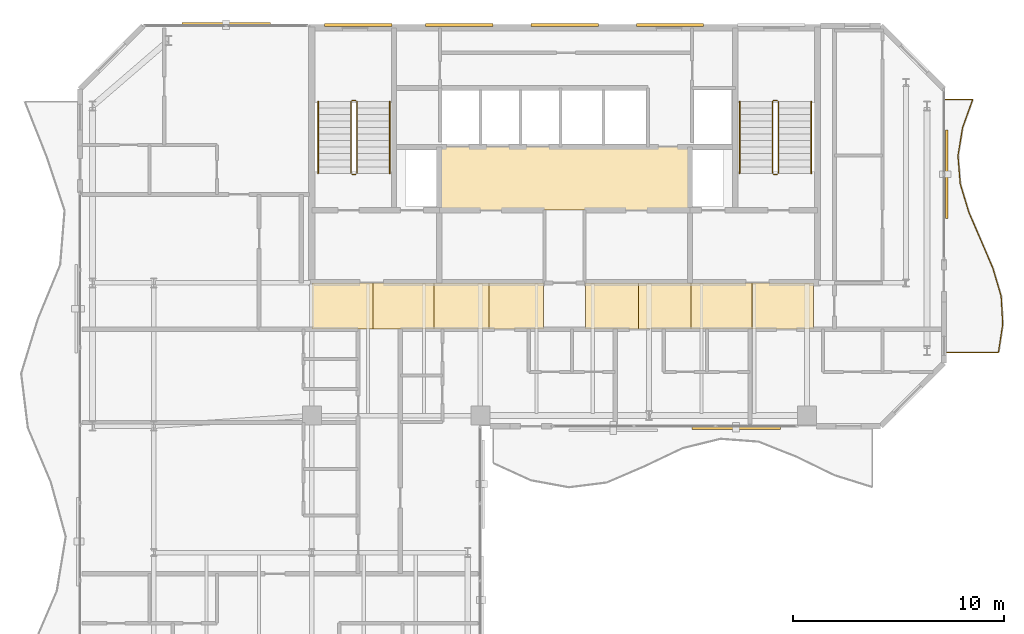
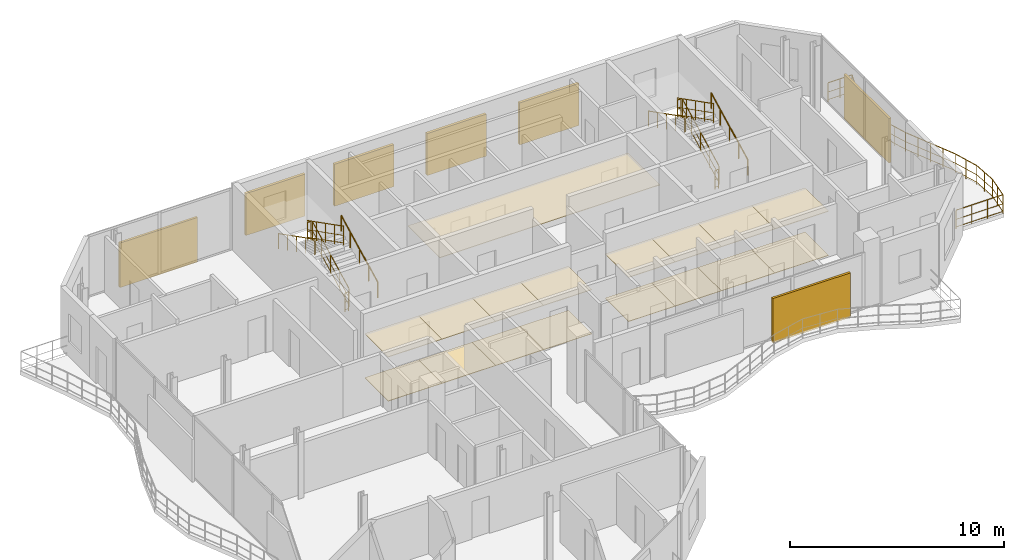
# One storey, part 23 of 24: 17 coverings, 13 railings, 7 shading devices.
"""IFC4 building model written with IfcOpenShell, lengths in metres."""

from ifc_helpers import new_model, si_unit, direction, frame, origin, origin_2d, place, context, subcontext, project, spatial, polyline, rectangle, circle, outline, extrude, material, layer, layer_set, type_object, element, save


model = new_model("IFC4")

# Units and contexts
model_context = context("Model", 3, precision=1e-05, world=origin(), true_north=direction((0.0, 1.0)))
body_context = subcontext(model_context, "Body", "Model", "MODEL_VIEW")
ifc_project = project(units=[si_unit("LENGTHUNIT", "METRE"), si_unit("AREAUNIT", "SQUARE_METRE"), si_unit("VOLUMEUNIT", "CUBIC_METRE"), si_unit("PLANEANGLEUNIT", "RADIAN"), si_unit("MASSUNIT", "GRAM", prefix="KILO")], contexts=[model_context])

# Site, building, storey
site_placement = place(None, origin())
site = spatial("IfcSite", under=ifc_project, at=site_placement, CompositionType="ELEMENT")
building_placement = place(site_placement, origin())
building = spatial("IfcBuilding", under=site, at=building_placement, Name="Catumbela Crestline Tower", CompositionType="ELEMENT")
storey_placement = place(building_placement, frame((0.0, 0.0, 237.4)))
storey = spatial("IfcBuildingStorey", under=building, at=storey_placement, Name="L61", CompositionType="ELEMENT", Elevation=237.4)

# Coverings
ifc_material_1 = material(Name="Mineral-fibre acoustic ceiling")
ifc_layer_1 = layer(ifc_material_1, 0.03, Name="Mineral-fibre acoustic ceiling")
ifc_layer_set_1 = layer_set([ifc_layer_1], Name="Mineral-fibre acoustic ceiling")
covering_type_1 = type_object("IfcCoveringType", Name="CC-AC", PredefinedType="CEILING", material=ifc_layer_set_1)
covering_1_placement = place(storey_placement, frame((0.0, 0.0, 2.65)))
element("IfcCovering", 1, at=covering_1_placement, inside=storey, type_object=covering_type_1, Name="L61 Lift Lobby Acoustic Ceiling", PredefinedType="CEILING", context=body_context, shape_type="SweptSolid", body=[
    extrude(outline(polyline([(22.05, 34.25), (33.95, 34.25), (33.95, 37.25), (22.05, 37.25), (22.05, 34.25)])), origin(), (0.0, 0.0, 1.0), 0.03),
])
covering_2_placement = place(storey_placement, frame((0.0, 0.0, 2.52)))
element("IfcCovering", 2, at=covering_2_placement, inside=storey, type_object=covering_type_1, Name="L61 Corridor Acoustic Ceiling Bay 1", PredefinedType="CEILING", context=body_context, shape_type="SweptSolid", body=[
    extrude(outline(polyline([(16.0, 28.6), (18.9, 28.6), (18.9, 30.8), (16.0, 30.8), (16.0, 28.6)])), origin(), (0.0, 0.0, 1.0), 0.03),
])
covering_3_placement = place(storey_placement, frame((0.0, 0.0, 2.52)))
element("IfcCovering", 3, at=covering_3_placement, inside=storey, type_object=covering_type_1, Name="L61 Corridor Acoustic Ceiling Bay 2", PredefinedType="CEILING", context=body_context, shape_type="SweptSolid", body=[
    extrude(outline(polyline([(18.9, 28.6), (21.8, 28.6), (21.8, 30.8), (18.9, 30.8), (18.9, 28.6)])), origin(), (0.0, 0.0, 1.0), 0.03),
])
covering_4_placement = place(storey_placement, frame((0.0, 0.0, 2.52)))
element("IfcCovering", 4, at=covering_4_placement, inside=storey, type_object=covering_type_1, Name="L61 Corridor Acoustic Ceiling Bay 3", PredefinedType="CEILING", context=body_context, shape_type="SweptSolid", body=[
    extrude(outline(polyline([(21.8, 28.6), (24.4, 28.6), (24.4, 30.8), (21.8, 30.8), (21.8, 28.6)])), origin(), (0.0, 0.0, 1.0), 0.03),
])
covering_5_placement = place(storey_placement, frame((0.0, 0.0, 2.52)))
element("IfcCovering", 5, at=covering_5_placement, inside=storey, type_object=covering_type_1, Name="L61 Corridor Acoustic Ceiling Bay 4", PredefinedType="CEILING", context=body_context, shape_type="SweptSolid", body=[
    extrude(outline(polyline([(24.4, 28.6), (27.0, 28.6), (27.0, 30.8), (24.4, 30.8), (24.4, 28.6)])), origin(), (0.0, 0.0, 1.0), 0.03),
])
covering_6_placement = place(storey_placement, frame((0.0, 0.0, 2.52)))
element("IfcCovering", 6, at=covering_6_placement, inside=storey, type_object=covering_type_1, Name="L61 Corridor Acoustic Ceiling Bay 5", PredefinedType="CEILING", context=body_context, shape_type="SweptSolid", body=[
    extrude(outline(polyline([(29.0, 28.6), (31.5, 28.6), (31.5, 30.8), (29.0, 30.8), (29.0, 28.6)])), origin(), (0.0, 0.0, 1.0), 0.03),
])
covering_7_placement = place(storey_placement, frame((0.0, 0.0, 2.52)))
element("IfcCovering", 7, at=covering_7_placement, inside=storey, type_object=covering_type_1, Name="L61 Corridor Acoustic Ceiling Bay 6", PredefinedType="CEILING", context=body_context, shape_type="SweptSolid", body=[
    extrude(outline(polyline([(31.5, 28.6), (34.0, 28.6), (34.0, 30.8), (31.5, 30.8), (31.5, 28.6)])), origin(), (0.0, 0.0, 1.0), 0.03),
])
covering_8_placement = place(storey_placement, frame((0.0, 0.0, 2.52)))
element("IfcCovering", 8, at=covering_8_placement, inside=storey, type_object=covering_type_1, Name="L61 Corridor Acoustic Ceiling Bay 7", PredefinedType="CEILING", context=body_context, shape_type="SweptSolid", body=[
    extrude(outline(polyline([(34.0, 28.6), (36.9, 28.6), (36.9, 30.8), (34.0, 30.8), (34.0, 28.6)])), origin(), (0.0, 0.0, 1.0), 0.03),
])
covering_9_placement = place(storey_placement, frame((0.0, 0.0, 2.52)))
element("IfcCovering", 9, at=covering_9_placement, inside=storey, type_object=covering_type_1, Name="L61 Corridor Acoustic Ceiling Bay 8", PredefinedType="CEILING", context=body_context, shape_type="SweptSolid", body=[
    extrude(outline(polyline([(36.9, 28.6), (39.8, 28.6), (39.8, 30.8), (36.9, 30.8), (36.9, 28.6)])), origin(), (0.0, 0.0, 1.0), 0.03),
])
ifc_material_2 = material(Name="Angolan grey-ochre granite", Category="masonry")
ifc_layer_2 = layer(ifc_material_2, 0.025, Name="Angolan grey-ochre granite")
ifc_layer_set_2 = layer_set([ifc_layer_2], Name="Angolan grey-ochre granite")
covering_type_2 = type_object("IfcCoveringType", Name="CF-GR", PredefinedType="FLOORING", material=ifc_layer_set_2)
covering_10_placement = place(storey_placement, origin())
element("IfcCovering", 10, at=covering_10_placement, inside=storey, type_object=covering_type_2, Name="L61 Corridor Granite Flooring Bay 1", PredefinedType="FLOORING", context=body_context, shape_type="SweptSolid", body=[
    extrude(outline(polyline([(16.0, 28.6), (18.9, 28.6), (18.9, 30.8), (16.0, 30.8), (16.0, 28.6)])), origin(), (0.0, 0.0, 1.0), 0.025),
])
covering_11_placement = place(storey_placement, origin())
element("IfcCovering", 11, at=covering_11_placement, inside=storey, type_object=covering_type_2, Name="L61 Corridor Granite Flooring Bay 2", PredefinedType="FLOORING", context=body_context, shape_type="SweptSolid", body=[
    extrude(outline(polyline([(18.9, 28.6), (21.8, 28.6), (21.8, 30.8), (18.9, 30.8), (18.9, 28.6)])), origin(), (0.0, 0.0, 1.0), 0.025),
])
covering_12_placement = place(storey_placement, origin())
element("IfcCovering", 12, at=covering_12_placement, inside=storey, type_object=covering_type_2, Name="L61 Corridor Granite Flooring Bay 3", PredefinedType="FLOORING", context=body_context, shape_type="SweptSolid", body=[
    extrude(outline(polyline([(21.8, 28.6), (24.4, 28.6), (24.4, 30.8), (21.8, 30.8), (21.8, 28.6)])), origin(), (0.0, 0.0, 1.0), 0.025),
])
covering_13_placement = place(storey_placement, origin())
element("IfcCovering", 13, at=covering_13_placement, inside=storey, type_object=covering_type_2, Name="L61 Corridor Granite Flooring Bay 4", PredefinedType="FLOORING", context=body_context, shape_type="SweptSolid", body=[
    extrude(outline(polyline([(24.4, 28.6), (27.0, 28.6), (27.0, 30.8), (24.4, 30.8), (24.4, 28.6)])), origin(), (0.0, 0.0, 1.0), 0.025),
])
covering_14_placement = place(storey_placement, origin())
element("IfcCovering", 14, at=covering_14_placement, inside=storey, type_object=covering_type_2, Name="L61 Corridor Granite Flooring Bay 5", PredefinedType="FLOORING", context=body_context, shape_type="SweptSolid", body=[
    extrude(outline(polyline([(29.0, 28.6), (31.5, 28.6), (31.5, 30.8), (29.0, 30.8), (29.0, 28.6)])), origin(), (0.0, 0.0, 1.0), 0.025),
])
covering_15_placement = place(storey_placement, origin())
element("IfcCovering", 15, at=covering_15_placement, inside=storey, type_object=covering_type_2, Name="L61 Corridor Granite Flooring Bay 6", PredefinedType="FLOORING", context=body_context, shape_type="SweptSolid", body=[
    extrude(outline(polyline([(31.5, 28.6), (34.0, 28.6), (34.0, 30.8), (31.5, 30.8), (31.5, 28.6)])), origin(), (0.0, 0.0, 1.0), 0.025),
])
covering_16_placement = place(storey_placement, origin())
element("IfcCovering", 16, at=covering_16_placement, inside=storey, type_object=covering_type_2, Name="L61 Corridor Granite Flooring Bay 7", PredefinedType="FLOORING", context=body_context, shape_type="SweptSolid", body=[
    extrude(outline(polyline([(34.0, 28.6), (36.9, 28.6), (36.9, 30.8), (34.0, 30.8), (34.0, 28.6)])), origin(), (0.0, 0.0, 1.0), 0.025),
])
covering_17_placement = place(storey_placement, origin())
element("IfcCovering", 17, at=covering_17_placement, inside=storey, type_object=covering_type_2, Name="L61 Corridor Granite Flooring Bay 8", PredefinedType="FLOORING", context=body_context, shape_type="SweptSolid", body=[
    extrude(outline(polyline([(36.9, 28.6), (39.8, 28.6), (39.8, 30.8), (36.9, 30.8), (36.9, 28.6)])), origin(), (0.0, 0.0, 1.0), 0.025),
])

# Railings
ifc_material_3 = material(Name="Stainless steel EN 1.4401", Category="steel")
railing_type_1 = type_object("IfcRailingType", Name="RB-1100", PredefinedType="BALUSTRADE", material=ifc_material_3)
railing_1_placement = place(storey_placement, frame((46.06, 27.5, 0.0)))
element("IfcRailing", 18, at=railing_1_placement, inside=storey, type_object=railing_type_1, Name="L61 Private Wave Balcony Balustrade 2", PredefinedType="BALUSTRADE", context=body_context, shape_type="SweptSolid", body=[
    extrude(circle(Radius=0.024, at=origin_2d()), frame((0.0, 0.0, 1.076), z_axis=(1.0, 0.0, 0.0), x_axis=(0.0, 1.0, 0.0)), (0.0, 0.0, 1.0), 2.526),
    extrude(circle(Radius=0.0156, at=origin_2d()), frame((0.0, 0.0, 0.55), z_axis=(1.0, 0.0, 0.0), x_axis=(0.0, 1.0, 0.0)), (0.0, 0.0, 1.0), 2.526),
    extrude(circle(Radius=0.0156, at=origin_2d()), frame((0.0, 0.0, 0.12), z_axis=(1.0, 0.0, 0.0), x_axis=(0.0, 1.0, 0.0)), (0.0, 0.0, 1.0), 2.526),
    extrude(circle(Radius=0.024, at=origin_2d()), frame((2.526, 0.0, 1.076), z_axis=(0.151243745511, 0.98849649946, 0.0), x_axis=(-0.98849649946, 0.151243745511, 0.0)), (0.0, 0.0, 1.0), 1.3488),
    extrude(circle(Radius=0.0156, at=origin_2d()), frame((2.526, 0.0, 0.55), z_axis=(0.151243745511, 0.98849649946, 0.0), x_axis=(-0.98849649946, 0.151243745511, 0.0)), (0.0, 0.0, 1.0), 1.3488),
    extrude(circle(Radius=0.0156, at=origin_2d()), frame((2.526, 0.0, 0.12), z_axis=(0.151243745511, 0.98849649946, 0.0), x_axis=(-0.98849649946, 0.151243745511, 0.0)), (0.0, 0.0, 1.0), 1.3488),
    extrude(circle(Radius=0.024, at=origin_2d()), frame((2.73, 1.3333, 1.076), z_axis=(-0.0566808914, 0.998392345999, 0.0), x_axis=(-0.998392345999, -0.0566808914, 0.0)), (0.0, 0.0, 1.0), 1.3355),
    extrude(circle(Radius=0.0156, at=origin_2d()), frame((2.73, 1.3333, 0.55), z_axis=(-0.0566808914, 0.998392345999, 0.0), x_axis=(-0.998392345999, -0.0566808914, 0.0)), (0.0, 0.0, 1.0), 1.3355),
    extrude(circle(Radius=0.0156, at=origin_2d()), frame((2.73, 1.3333, 0.12), z_axis=(-0.0566808914, 0.998392345999, 0.0), x_axis=(-0.998392345999, -0.0566808914, 0.0)), (0.0, 0.0, 1.0), 1.3355),
    extrude(circle(Radius=0.024, at=origin_2d()), frame((2.6543, 2.6667, 1.076), z_axis=(-0.284120158971, 0.958788681236, 0.0), x_axis=(-0.958788681236, -0.284120158971, 0.0)), (0.0, 0.0, 1.0), 1.3906),
    extrude(circle(Radius=0.0156, at=origin_2d()), frame((2.6543, 2.6667, 0.55), z_axis=(-0.284120158971, 0.958788681236, 0.0), x_axis=(-0.958788681236, -0.284120158971, 0.0)), (0.0, 0.0, 1.0), 1.3906),
    extrude(circle(Radius=0.0156, at=origin_2d()), frame((2.6543, 2.6667, 0.12), z_axis=(-0.284120158971, 0.958788681236, 0.0), x_axis=(-0.958788681236, -0.284120158971, 0.0)), (0.0, 0.0, 1.0), 1.3906),
    extrude(circle(Radius=0.024, at=origin_2d()), frame((2.2592, 4.0, 1.076), z_axis=(-0.393677976262, 0.919248416374, 0.0), x_axis=(-0.919248416374, -0.393677976262, 0.0)), (0.0, 0.0, 1.0), 1.4504),
    extrude(circle(Radius=0.0156, at=origin_2d()), frame((2.2592, 4.0, 0.55), z_axis=(-0.393677976262, 0.919248416374, 0.0), x_axis=(-0.919248416374, -0.393677976262, 0.0)), (0.0, 0.0, 1.0), 1.4504),
    extrude(circle(Radius=0.0156, at=origin_2d()), frame((2.2592, 4.0, 0.12), z_axis=(-0.393677976262, 0.919248416374, 0.0), x_axis=(-0.919248416374, -0.393677976262, 0.0)), (0.0, 0.0, 1.0), 1.4504),
    extrude(circle(Radius=0.024, at=origin_2d()), frame((1.6882, 5.3333, 1.076), z_axis=(-0.395166123787, 0.918609674786, 0.0), x_axis=(-0.918609674786, -0.395166123787, 0.0)), (0.0, 0.0, 1.0), 1.4515),
    extrude(circle(Radius=0.0156, at=origin_2d()), frame((1.6882, 5.3333, 0.55), z_axis=(-0.395166123787, 0.918609674786, 0.0), x_axis=(-0.918609674786, -0.395166123787, 0.0)), (0.0, 0.0, 1.0), 1.4515),
    extrude(circle(Radius=0.0156, at=origin_2d()), frame((1.6882, 5.3333, 0.12), z_axis=(-0.395166123787, 0.918609674786, 0.0), x_axis=(-0.918609674786, -0.395166123787, 0.0)), (0.0, 0.0, 1.0), 1.4515),
    extrude(circle(Radius=0.024, at=origin_2d()), frame((1.1146, 6.6667, 1.076), z_axis=(-0.288474300186, 0.957487638631, 0.0), x_axis=(-0.957487638631, -0.288474300186, 0.0)), (0.0, 0.0, 1.0), 1.3925),
    extrude(circle(Radius=0.0156, at=origin_2d()), frame((1.1146, 6.6667, 0.55), z_axis=(-0.288474300186, 0.957487638631, 0.0), x_axis=(-0.957487638631, -0.288474300186, 0.0)), (0.0, 0.0, 1.0), 1.3925),
    extrude(circle(Radius=0.0156, at=origin_2d()), frame((1.1146, 6.6667, 0.12), z_axis=(-0.288474300186, 0.957487638631, 0.0), x_axis=(-0.957487638631, -0.288474300186, 0.0)), (0.0, 0.0, 1.0), 1.3925),
    extrude(circle(Radius=0.024, at=origin_2d()), frame((0.7129, 8.0, 1.076), z_axis=(-0.0805890431, 0.996747413406, 0.0), x_axis=(-0.996747413406, -0.0805890431, 0.0)), (0.0, 0.0, 1.0), 1.3377),
    extrude(circle(Radius=0.0156, at=origin_2d()), frame((0.7129, 8.0, 0.55), z_axis=(-0.0805890431, 0.996747413406, 0.0), x_axis=(-0.996747413406, -0.0805890431, 0.0)), (0.0, 0.0, 1.0), 1.3377),
    extrude(circle(Radius=0.0156, at=origin_2d()), frame((0.7129, 8.0, 0.12), z_axis=(-0.0805890431, 0.996747413406, 0.0), x_axis=(-0.996747413406, -0.0805890431, 0.0)), (0.0, 0.0, 1.0), 1.3377),
    extrude(circle(Radius=0.024, at=origin_2d()), frame((0.6051, 9.3333, 1.076), z_axis=(0.161926253344, 0.986802862014, 0.0), x_axis=(-0.986802862014, 0.161926253344, 0.0)), (0.0, 0.0, 1.0), 1.3512),
    extrude(circle(Radius=0.0156, at=origin_2d()), frame((0.6051, 9.3333, 0.55), z_axis=(0.161926253344, 0.986802862014, 0.0), x_axis=(-0.986802862014, 0.161926253344, 0.0)), (0.0, 0.0, 1.0), 1.3512),
    extrude(circle(Radius=0.0156, at=origin_2d()), frame((0.6051, 9.3333, 0.12), z_axis=(0.161926253344, 0.986802862014, 0.0), x_axis=(-0.986802862014, 0.161926253344, 0.0)), (0.0, 0.0, 1.0), 1.3512),
    extrude(circle(Radius=0.024, at=origin_2d()), frame((0.8239, 10.6667, 1.076), z_axis=(0.338102026778, 0.941109462012, 0.0), x_axis=(-0.941109462012, 0.338102026778, 0.0)), (0.0, 0.0, 1.0), 1.4167),
    extrude(circle(Radius=0.0156, at=origin_2d()), frame((0.8239, 10.6667, 0.55), z_axis=(0.338102026778, 0.941109462012, 0.0), x_axis=(-0.941109462012, 0.338102026778, 0.0)), (0.0, 0.0, 1.0), 1.4167),
    extrude(circle(Radius=0.0156, at=origin_2d()), frame((0.8239, 10.6667, 0.12), z_axis=(0.338102026778, 0.941109462012, 0.0), x_axis=(-0.941109462012, 0.338102026778, 0.0)), (0.0, 0.0, 1.0), 1.4167),
    extrude(circle(Radius=0.024, at=origin_2d()), frame((1.3029, 12.0, 1.076), z_axis=(-1.0, 0.0, 0.0), x_axis=(0.0, -1.0, 0.0)), (0.0, 0.0, 1.0), 1.3029),
    extrude(circle(Radius=0.0156, at=origin_2d()), frame((1.3029, 12.0, 0.55), z_axis=(-1.0, 0.0, 0.0), x_axis=(0.0, -1.0, 0.0)), (0.0, 0.0, 1.0), 1.3029),
    extrude(circle(Radius=0.0156, at=origin_2d()), frame((1.3029, 12.0, 0.12), z_axis=(-1.0, 0.0, 0.0), x_axis=(0.0, -1.0, 0.0)), (0.0, 0.0, 1.0), 1.3029),
    extrude(circle(Radius=0.021, at=origin_2d()), origin(), (0.0, 0.0, 1.0), 1.052),
    extrude(circle(Radius=0.021, at=origin_2d()), frame((0.842, 0.0, 0.0)), (0.0, 0.0, 1.0), 1.052),
    extrude(circle(Radius=0.021, at=origin_2d()), frame((1.684, 0.0, 0.0)), (0.0, 0.0, 1.0), 1.052),
    extrude(circle(Radius=0.021, at=origin_2d()), frame((2.526, 0.0, 0.0)), (0.0, 0.0, 1.0), 1.052),
    extrude(circle(Radius=0.021, at=origin_2d()), frame((2.628, 0.6667, 0.0)), (0.0, 0.0, 1.0), 1.052),
    extrude(circle(Radius=0.021, at=origin_2d()), frame((2.73, 1.3333, 0.0)), (0.0, 0.0, 1.0), 1.052),
    extrude(circle(Radius=0.021, at=origin_2d()), frame((2.6921, 2.0, 0.0)), (0.0, 0.0, 1.0), 1.052),
    extrude(circle(Radius=0.021, at=origin_2d()), frame((2.6543, 2.6667, 0.0)), (0.0, 0.0, 1.0), 1.052),
    extrude(circle(Radius=0.021, at=origin_2d()), frame((2.4567, 3.3333, 0.0)), (0.0, 0.0, 1.0), 1.052),
    extrude(circle(Radius=0.021, at=origin_2d()), frame((2.2592, 4.0, 0.0)), (0.0, 0.0, 1.0), 1.052),
    extrude(circle(Radius=0.021, at=origin_2d()), frame((1.9737, 4.6667, 0.0)), (0.0, 0.0, 1.0), 1.052),
    extrude(circle(Radius=0.021, at=origin_2d()), frame((1.6882, 5.3333, 0.0)), (0.0, 0.0, 1.0), 1.052),
    extrude(circle(Radius=0.021, at=origin_2d()), frame((1.4014, 6.0, 0.0)), (0.0, 0.0, 1.0), 1.052),
    extrude(circle(Radius=0.021, at=origin_2d()), frame((1.1146, 6.6667, 0.0)), (0.0, 0.0, 1.0), 1.052),
    extrude(circle(Radius=0.021, at=origin_2d()), frame((0.9137, 7.3334, 0.0)), (0.0, 0.0, 1.0), 1.052),
    extrude(circle(Radius=0.021, at=origin_2d()), frame((0.7129, 8.0, 0.0)), (0.0, 0.0, 1.0), 1.052),
    extrude(circle(Radius=0.021, at=origin_2d()), frame((0.659, 8.6666, 0.0)), (0.0, 0.0, 1.0), 1.052),
    extrude(circle(Radius=0.021, at=origin_2d()), frame((0.6051, 9.3333, 0.0)), (0.0, 0.0, 1.0), 1.052),
    extrude(circle(Radius=0.021, at=origin_2d()), frame((0.7145, 10.0, 0.0)), (0.0, 0.0, 1.0), 1.052),
    extrude(circle(Radius=0.021, at=origin_2d()), frame((0.8239, 10.6667, 0.0)), (0.0, 0.0, 1.0), 1.052),
    extrude(circle(Radius=0.021, at=origin_2d()), frame((1.0634, 11.3334, 0.0)), (0.0, 0.0, 1.0), 1.052),
    extrude(circle(Radius=0.021, at=origin_2d()), frame((1.3029, 12.0, 0.0)), (0.0, 0.0, 1.0), 1.052),
    extrude(circle(Radius=0.021, at=origin_2d()), frame((0.6515, 12.0, 0.0)), (0.0, 0.0, 1.0), 1.052),
    extrude(circle(Radius=0.021, at=origin_2d()), frame((0.0, 12.0, 0.0)), (0.0, 0.0, 1.0), 1.052),
])
railing_type_2 = type_object("IfcRailingType", Name="RG-1100", PredefinedType="GUARDRAIL", material=ifc_material_3)
railing_2_placement = place(storey_placement, frame((18.14, 36.0, 0.1583)))
element("IfcRailing", 19, at=railing_2_placement, inside=storey, type_object=railing_type_2, Name="L61 ST-01 stair guard 1", PredefinedType="GUARDRAIL", context=body_context, shape_type="SweptSolid", body=[
    extrude(circle(Radius=0.024, at=origin_2d()), frame((0.0, 0.0, 1.076), z_axis=(0.0, 0.890560473983, 0.454864861447), x_axis=(-1.0, 0.0, 0.0)), (0.0, 0.0, 1.0), 3.829),
    extrude(circle(Radius=0.0156, at=origin_2d()), frame((0.0, 0.0, 0.55), z_axis=(0.0, 0.890560473983, 0.454864861447), x_axis=(-1.0, 0.0, 0.0)), (0.0, 0.0, 1.0), 3.829),
    extrude(circle(Radius=0.0156, at=origin_2d()), frame((0.0, 0.0, 0.12), z_axis=(0.0, 0.890560473983, 0.454864861447), x_axis=(-1.0, 0.0, 0.0)), (0.0, 0.0, 1.0), 3.829),
    extrude(circle(Radius=0.021, at=origin_2d()), origin(), (0.0, 0.0, 1.0), 1.052),
    extrude(circle(Radius=0.021, at=origin_2d()), frame((0.0, 0.8525, 0.4354)), (0.0, 0.0, 1.0), 1.052),
    extrude(circle(Radius=0.021, at=origin_2d()), frame((0.0, 1.705, 0.8709)), (0.0, 0.0, 1.0), 1.052),
    extrude(circle(Radius=0.021, at=origin_2d()), frame((0.0, 2.5575, 1.3063)), (0.0, 0.0, 1.0), 1.052),
    extrude(circle(Radius=0.021, at=origin_2d()), frame((0.0, 3.41, 1.7417)), (0.0, 0.0, 1.0), 1.052),
])
railing_3_placement = place(storey_placement, frame((18.09, 39.46, 1.9)))
element("IfcRailing", 20, at=railing_3_placement, inside=storey, type_object=railing_type_2, Name="L61 ST-01 stair guard 2", PredefinedType="GUARDRAIL", context=body_context, shape_type="SweptSolid", body=[
    extrude(circle(Radius=0.024, at=origin_2d()), frame((0.0, 0.0, 1.076), z_axis=(-1.0, 0.0, 0.0), x_axis=(0.0, -1.0, 0.0)), (0.0, 0.0, 1.0), 0.18),
    extrude(circle(Radius=0.0156, at=origin_2d()), frame((0.0, 0.0, 0.55), z_axis=(-1.0, 0.0, 0.0), x_axis=(0.0, -1.0, 0.0)), (0.0, 0.0, 1.0), 0.18),
    extrude(circle(Radius=0.0156, at=origin_2d()), frame((0.0, 0.0, 0.12), z_axis=(-1.0, 0.0, 0.0), x_axis=(0.0, -1.0, 0.0)), (0.0, 0.0, 1.0), 0.18),
    extrude(circle(Radius=0.021, at=origin_2d()), origin(), (0.0, 0.0, 1.0), 1.052),
    extrude(circle(Radius=0.021, at=origin_2d()), frame((-0.18, 0.0, 0.0)), (0.0, 0.0, 1.0), 1.052),
])
railing_4_placement = place(storey_placement, frame((17.86, 39.41, 2.0583)))
element("IfcRailing", 21, at=railing_4_placement, inside=storey, type_object=railing_type_2, Name="L61 ST-01 stair guard 3", PredefinedType="GUARDRAIL", context=body_context, shape_type="SweptSolid", body=[
    extrude(circle(Radius=0.024, at=origin_2d()), frame((0.0, 0.0, 1.076), z_axis=(0.0, -0.890560473983, 0.454864861447), x_axis=(1.0, 0.0, 0.0)), (0.0, 0.0, 1.0), 3.829),
    extrude(circle(Radius=0.0156, at=origin_2d()), frame((0.0, 0.0, 0.55), z_axis=(0.0, -0.890560473983, 0.454864861447), x_axis=(1.0, 0.0, 0.0)), (0.0, 0.0, 1.0), 3.829),
    extrude(circle(Radius=0.0156, at=origin_2d()), frame((0.0, 0.0, 0.12), z_axis=(0.0, -0.890560473983, 0.454864861447), x_axis=(1.0, 0.0, 0.0)), (0.0, 0.0, 1.0), 3.829),
    extrude(circle(Radius=0.021, at=origin_2d()), origin(), (0.0, 0.0, 1.0), 1.052),
    extrude(circle(Radius=0.021, at=origin_2d()), frame((0.0, -0.8525, 0.4354)), (0.0, 0.0, 1.0), 1.052),
    extrude(circle(Radius=0.021, at=origin_2d()), frame((0.0, -1.705, 0.8708)), (0.0, 0.0, 1.0), 1.052),
    extrude(circle(Radius=0.021, at=origin_2d()), frame((0.0, -2.5575, 1.3063)), (0.0, 0.0, 1.0), 1.052),
    extrude(circle(Radius=0.021, at=origin_2d()), frame((0.0, -3.41, 1.7417)), (0.0, 0.0, 1.0), 1.052),
])
railing_5_placement = place(storey_placement, frame((18.09, 35.95, 0.0)))
element("IfcRailing", 22, at=railing_5_placement, inside=storey, type_object=railing_type_2, Name="L61 ST-01 stair guard 4", PredefinedType="GUARDRAIL", context=body_context, shape_type="SweptSolid", body=[
    extrude(circle(Radius=0.024, at=origin_2d()), frame((0.0, 0.0, 1.076), z_axis=(-1.0, 0.0, 0.0), x_axis=(0.0, -1.0, 0.0)), (0.0, 0.0, 1.0), 0.18),
    extrude(circle(Radius=0.0156, at=origin_2d()), frame((0.0, 0.0, 0.55), z_axis=(-1.0, 0.0, 0.0), x_axis=(0.0, -1.0, 0.0)), (0.0, 0.0, 1.0), 0.18),
    extrude(circle(Radius=0.0156, at=origin_2d()), frame((0.0, 0.0, 0.12), z_axis=(-1.0, 0.0, 0.0), x_axis=(0.0, -1.0, 0.0)), (0.0, 0.0, 1.0), 0.18),
    extrude(circle(Radius=0.021, at=origin_2d()), origin(), (0.0, 0.0, 1.0), 1.052),
    extrude(circle(Radius=0.021, at=origin_2d()), frame((-0.18, 0.0, 0.0)), (0.0, 0.0, 1.0), 1.052),
])
railing_6_placement = place(storey_placement, frame((38.14, 36.0, 0.1583)))
element("IfcRailing", 23, at=railing_6_placement, inside=storey, type_object=railing_type_2, Name="L61 ST-02 stair guard 1", PredefinedType="GUARDRAIL", context=body_context, shape_type="SweptSolid", body=[
    extrude(circle(Radius=0.024, at=origin_2d()), frame((0.0, 0.0, 1.076), z_axis=(0.0, 0.890560473983, 0.454864861447), x_axis=(-1.0, 0.0, 0.0)), (0.0, 0.0, 1.0), 3.829),
    extrude(circle(Radius=0.0156, at=origin_2d()), frame((0.0, 0.0, 0.55), z_axis=(0.0, 0.890560473983, 0.454864861447), x_axis=(-1.0, 0.0, 0.0)), (0.0, 0.0, 1.0), 3.829),
    extrude(circle(Radius=0.0156, at=origin_2d()), frame((0.0, 0.0, 0.12), z_axis=(0.0, 0.890560473983, 0.454864861447), x_axis=(-1.0, 0.0, 0.0)), (0.0, 0.0, 1.0), 3.829),
    extrude(circle(Radius=0.021, at=origin_2d()), origin(), (0.0, 0.0, 1.0), 1.052),
    extrude(circle(Radius=0.021, at=origin_2d()), frame((0.0, 0.8525, 0.4354)), (0.0, 0.0, 1.0), 1.052),
    extrude(circle(Radius=0.021, at=origin_2d()), frame((0.0, 1.705, 0.8709)), (0.0, 0.0, 1.0), 1.052),
    extrude(circle(Radius=0.021, at=origin_2d()), frame((0.0, 2.5575, 1.3063)), (0.0, 0.0, 1.0), 1.052),
    extrude(circle(Radius=0.021, at=origin_2d()), frame((0.0, 3.41, 1.7417)), (0.0, 0.0, 1.0), 1.052),
])
railing_7_placement = place(storey_placement, frame((38.09, 39.46, 1.9)))
element("IfcRailing", 24, at=railing_7_placement, inside=storey, type_object=railing_type_2, Name="L61 ST-02 stair guard 2", PredefinedType="GUARDRAIL", context=body_context, shape_type="SweptSolid", body=[
    extrude(circle(Radius=0.024, at=origin_2d()), frame((0.0, 0.0, 1.076), z_axis=(-1.0, 0.0, 0.0), x_axis=(0.0, -1.0, 0.0)), (0.0, 0.0, 1.0), 0.18),
    extrude(circle(Radius=0.0156, at=origin_2d()), frame((0.0, 0.0, 0.55), z_axis=(-1.0, 0.0, 0.0), x_axis=(0.0, -1.0, 0.0)), (0.0, 0.0, 1.0), 0.18),
    extrude(circle(Radius=0.0156, at=origin_2d()), frame((0.0, 0.0, 0.12), z_axis=(-1.0, 0.0, 0.0), x_axis=(0.0, -1.0, 0.0)), (0.0, 0.0, 1.0), 0.18),
    extrude(circle(Radius=0.021, at=origin_2d()), origin(), (0.0, 0.0, 1.0), 1.052),
    extrude(circle(Radius=0.021, at=origin_2d()), frame((-0.18, 0.0, 0.0)), (0.0, 0.0, 1.0), 1.052),
])
railing_8_placement = place(storey_placement, frame((37.86, 39.41, 2.0583)))
element("IfcRailing", 25, at=railing_8_placement, inside=storey, type_object=railing_type_2, Name="L61 ST-02 stair guard 3", PredefinedType="GUARDRAIL", context=body_context, shape_type="SweptSolid", body=[
    extrude(circle(Radius=0.024, at=origin_2d()), frame((0.0, 0.0, 1.076), z_axis=(0.0, -0.890560473983, 0.454864861447), x_axis=(1.0, 0.0, 0.0)), (0.0, 0.0, 1.0), 3.829),
    extrude(circle(Radius=0.0156, at=origin_2d()), frame((0.0, 0.0, 0.55), z_axis=(0.0, -0.890560473983, 0.454864861447), x_axis=(1.0, 0.0, 0.0)), (0.0, 0.0, 1.0), 3.829),
    extrude(circle(Radius=0.0156, at=origin_2d()), frame((0.0, 0.0, 0.12), z_axis=(0.0, -0.890560473983, 0.454864861447), x_axis=(1.0, 0.0, 0.0)), (0.0, 0.0, 1.0), 3.829),
    extrude(circle(Radius=0.021, at=origin_2d()), origin(), (0.0, 0.0, 1.0), 1.052),
    extrude(circle(Radius=0.021, at=origin_2d()), frame((0.0, -0.8525, 0.4354)), (0.0, 0.0, 1.0), 1.052),
    extrude(circle(Radius=0.021, at=origin_2d()), frame((0.0, -1.705, 0.8708)), (0.0, 0.0, 1.0), 1.052),
    extrude(circle(Radius=0.021, at=origin_2d()), frame((0.0, -2.5575, 1.3063)), (0.0, 0.0, 1.0), 1.052),
    extrude(circle(Radius=0.021, at=origin_2d()), frame((0.0, -3.41, 1.7417)), (0.0, 0.0, 1.0), 1.052),
])
railing_9_placement = place(storey_placement, frame((38.09, 35.95, 0.0)))
element("IfcRailing", 26, at=railing_9_placement, inside=storey, type_object=railing_type_2, Name="L61 ST-02 stair guard 4", PredefinedType="GUARDRAIL", context=body_context, shape_type="SweptSolid", body=[
    extrude(circle(Radius=0.024, at=origin_2d()), frame((0.0, 0.0, 1.076), z_axis=(-1.0, 0.0, 0.0), x_axis=(0.0, -1.0, 0.0)), (0.0, 0.0, 1.0), 0.18),
    extrude(circle(Radius=0.0156, at=origin_2d()), frame((0.0, 0.0, 0.55), z_axis=(-1.0, 0.0, 0.0), x_axis=(0.0, -1.0, 0.0)), (0.0, 0.0, 1.0), 0.18),
    extrude(circle(Radius=0.0156, at=origin_2d()), frame((0.0, 0.0, 0.12), z_axis=(-1.0, 0.0, 0.0), x_axis=(0.0, -1.0, 0.0)), (0.0, 0.0, 1.0), 0.18),
    extrude(circle(Radius=0.021, at=origin_2d()), origin(), (0.0, 0.0, 1.0), 1.052),
    extrude(circle(Radius=0.021, at=origin_2d()), frame((-0.18, 0.0, 0.0)), (0.0, 0.0, 1.0), 1.052),
])
railing_type_3 = type_object("IfcRailingType", Name="RH-0900", PredefinedType="HANDRAIL", material=ifc_material_3)
railing_10_placement = place(storey_placement, frame((19.7, 36.0, 0.1583)))
element("IfcRailing", 27, at=railing_10_placement, inside=storey, type_object=railing_type_3, Name="L61 ST-01 stair handrail 1", PredefinedType="HANDRAIL", context=body_context, shape_type="SweptSolid", body=[
    extrude(circle(Radius=0.024, at=origin_2d()), frame((0.0, 0.0, 0.876), z_axis=(0.0, 0.890560473983, 0.454864861447), x_axis=(-1.0, 0.0, 0.0)), (0.0, 0.0, 1.0), 3.829),
    extrude(circle(Radius=0.021, at=origin_2d()), origin(), (0.0, 0.0, 1.0), 0.852),
    extrude(circle(Radius=0.021, at=origin_2d()), frame((0.0, 0.8525, 0.4354)), (0.0, 0.0, 1.0), 0.852),
    extrude(circle(Radius=0.021, at=origin_2d()), frame((0.0, 1.705, 0.8709)), (0.0, 0.0, 1.0), 0.852),
    extrude(circle(Radius=0.021, at=origin_2d()), frame((0.0, 2.5575, 1.3063)), (0.0, 0.0, 1.0), 0.852),
    extrude(circle(Radius=0.021, at=origin_2d()), frame((0.0, 3.41, 1.7417)), (0.0, 0.0, 1.0), 0.852),
])
railing_11_placement = place(storey_placement, frame((16.3, 39.41, 2.0583)))
element("IfcRailing", 28, at=railing_11_placement, inside=storey, type_object=railing_type_3, Name="L61 ST-01 stair handrail 2", PredefinedType="HANDRAIL", context=body_context, shape_type="SweptSolid", body=[
    extrude(circle(Radius=0.024, at=origin_2d()), frame((0.0, 0.0, 0.876), z_axis=(0.0, -0.890560473983, 0.454864861447), x_axis=(1.0, 0.0, 0.0)), (0.0, 0.0, 1.0), 3.829),
    extrude(circle(Radius=0.021, at=origin_2d()), origin(), (0.0, 0.0, 1.0), 0.852),
    extrude(circle(Radius=0.021, at=origin_2d()), frame((0.0, -0.8525, 0.4354)), (0.0, 0.0, 1.0), 0.852),
    extrude(circle(Radius=0.021, at=origin_2d()), frame((0.0, -1.705, 0.8708)), (0.0, 0.0, 1.0), 0.852),
    extrude(circle(Radius=0.021, at=origin_2d()), frame((0.0, -2.5575, 1.3063)), (0.0, 0.0, 1.0), 0.852),
    extrude(circle(Radius=0.021, at=origin_2d()), frame((0.0, -3.41, 1.7417)), (0.0, 0.0, 1.0), 0.852),
])
railing_12_placement = place(storey_placement, frame((39.7, 36.0, 0.1583)))
element("IfcRailing", 29, at=railing_12_placement, inside=storey, type_object=railing_type_3, Name="L61 ST-02 stair handrail 1", PredefinedType="HANDRAIL", context=body_context, shape_type="SweptSolid", body=[
    extrude(circle(Radius=0.024, at=origin_2d()), frame((0.0, 0.0, 0.876), z_axis=(0.0, 0.890560473983, 0.454864861447), x_axis=(-1.0, 0.0, 0.0)), (0.0, 0.0, 1.0), 3.829),
    extrude(circle(Radius=0.021, at=origin_2d()), origin(), (0.0, 0.0, 1.0), 0.852),
    extrude(circle(Radius=0.021, at=origin_2d()), frame((0.0, 0.8525, 0.4354)), (0.0, 0.0, 1.0), 0.852),
    extrude(circle(Radius=0.021, at=origin_2d()), frame((0.0, 1.705, 0.8709)), (0.0, 0.0, 1.0), 0.852),
    extrude(circle(Radius=0.021, at=origin_2d()), frame((0.0, 2.5575, 1.3063)), (0.0, 0.0, 1.0), 0.852),
    extrude(circle(Radius=0.021, at=origin_2d()), frame((0.0, 3.41, 1.7417)), (0.0, 0.0, 1.0), 0.852),
])
railing_13_placement = place(storey_placement, frame((36.3, 39.41, 2.0583)))
element("IfcRailing", 30, at=railing_13_placement, inside=storey, type_object=railing_type_3, Name="L61 ST-02 stair handrail 2", PredefinedType="HANDRAIL", context=body_context, shape_type="SweptSolid", body=[
    extrude(circle(Radius=0.024, at=origin_2d()), frame((0.0, 0.0, 0.876), z_axis=(0.0, -0.890560473983, 0.454864861447), x_axis=(1.0, 0.0, 0.0)), (0.0, 0.0, 1.0), 3.829),
    extrude(circle(Radius=0.021, at=origin_2d()), origin(), (0.0, 0.0, 1.0), 0.852),
    extrude(circle(Radius=0.021, at=origin_2d()), frame((0.0, -0.8525, 0.4354)), (0.0, 0.0, 1.0), 0.852),
    extrude(circle(Radius=0.021, at=origin_2d()), frame((0.0, -1.705, 0.8708)), (0.0, 0.0, 1.0), 0.852),
    extrude(circle(Radius=0.021, at=origin_2d()), frame((0.0, -2.5575, 1.3063)), (0.0, 0.0, 1.0), 0.852),
    extrude(circle(Radius=0.021, at=origin_2d()), frame((0.0, -3.41, 1.7417)), (0.0, 0.0, 1.0), 0.852),
])

# Shading devices
ifc_material_4 = material(Name="Extruded terracotta ceramic", Category="masonry")
shading_device_type_1 = type_object("IfcShadingDeviceType", Name="ST-180", PredefinedType="USERDEFINED", material=ifc_material_4)
shading_device_1_placement = place(storey_placement, frame((23.0, 43.04, 0.55), z_axis=(0.0, 0.0, 1.0), x_axis=(1.0, 0.0, 0.0)))
element("IfcShadingDevice", 31, at=shading_device_1_placement, inside=storey, type_object=shading_device_type_1, Name="L61 Rear Core Terracotta Brise-Soleil Screen 727", ObjectType="SCREEN", PredefinedType="USERDEFINED", context=body_context, shape_type="SweptSolid", body=[
    extrude(rectangle(XDim=3.2, YDim=0.14, at=origin_2d()), origin(), (0.0, 0.0, 1.0), 2.4),
])
for number, where, z_axis, x_axis, name in (
    (32, (36.1375, 23.901, -0.1), (0.0, 0.0, 1.0), (1.0, 0.0, 0.0), "L61 Perforated Terracotta Solar Screen 735 (180 mm)"),
    (33, (11.93, 43.099, -0.1), (0.0, 0.0, 1.0), (-1.0, 0.0, 0.0), "L61 Perforated Terracotta Solar Screen 737 (180 mm)"),
):
    element("IfcShadingDevice", number, at=place(storey_placement, frame(where, z_axis=z_axis, x_axis=x_axis)), inside=storey, type_object=shading_device_type_1, Name=name, ObjectType="SCREEN", PredefinedType="USERDEFINED", context=body_context, shape_type="SweptSolid", body=[
        extrude(rectangle(XDim=4.2, YDim=0.12, at=origin_2d()), origin(), (0.0, 0.0, 1.0), 2.55),
    ])
shading_device_type_2 = type_object("IfcShadingDeviceType", Name="ST-260", PredefinedType="USERDEFINED", material=ifc_material_4)
for number, where, z_axis, x_axis, name in (
    (34, (18.2, 43.04, 0.55), (0.0, 0.0, 1.0), (1.0, 0.0, 0.0), "L61 Rear Core Terracotta Brise-Soleil Screen 726"),
    (35, (33.0, 43.04, 0.55), (0.0, 0.0, 1.0), (1.0, 0.0, 0.0), "L61 Rear Core Terracotta Brise-Soleil Screen 729"),
):
    element("IfcShadingDevice", number, at=place(storey_placement, frame(where, z_axis=z_axis, x_axis=x_axis)), inside=storey, type_object=shading_device_type_2, Name=name, ObjectType="SCREEN", PredefinedType="USERDEFINED", context=body_context, shape_type="SweptSolid", body=[
        extrude(rectangle(XDim=3.2, YDim=0.14, at=origin_2d()), origin(), (0.0, 0.0, 1.0), 2.4),
    ])
shading_device_2_placement = place(storey_placement, frame((46.143, 35.95, -0.1), z_axis=(0.0, 0.0, 1.0), x_axis=(0.0, 1.0, 0.0)))
element("IfcShadingDevice", 36, at=shading_device_2_placement, inside=storey, type_object=shading_device_type_2, Name="L61 Perforated Terracotta Solar Screen 736 (260 mm)", ObjectType="SCREEN", PredefinedType="USERDEFINED", context=body_context, shape_type="SweptSolid", body=[
    extrude(rectangle(XDim=4.2, YDim=0.12, at=origin_2d()), origin(), (0.0, 0.0, 1.0), 2.55),
])
shading_device_type_3 = type_object("IfcShadingDeviceType", Name="ST-340", PredefinedType="USERDEFINED", material=ifc_material_4)
shading_device_3_placement = place(storey_placement, frame((28.0, 43.04, 0.55), z_axis=(0.0, 0.0, 1.0), x_axis=(1.0, 0.0, 0.0)))
element("IfcShadingDevice", 37, at=shading_device_3_placement, inside=storey, type_object=shading_device_type_3, Name="L61 Rear Core Terracotta Brise-Soleil Screen 728", ObjectType="SCREEN", PredefinedType="USERDEFINED", context=body_context, shape_type="SweptSolid", body=[
    extrude(rectangle(XDim=3.2, YDim=0.14, at=origin_2d()), origin(), (0.0, 0.0, 1.0), 2.4),
])

save(model, "model.ifc")
